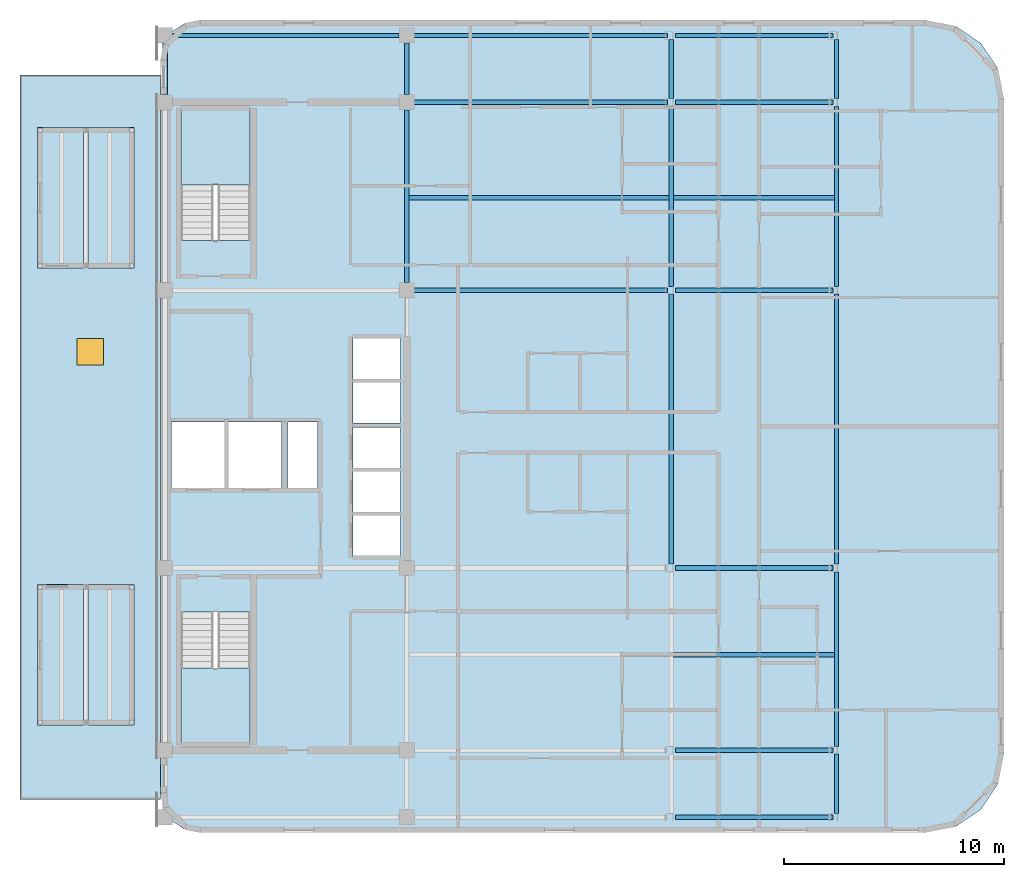
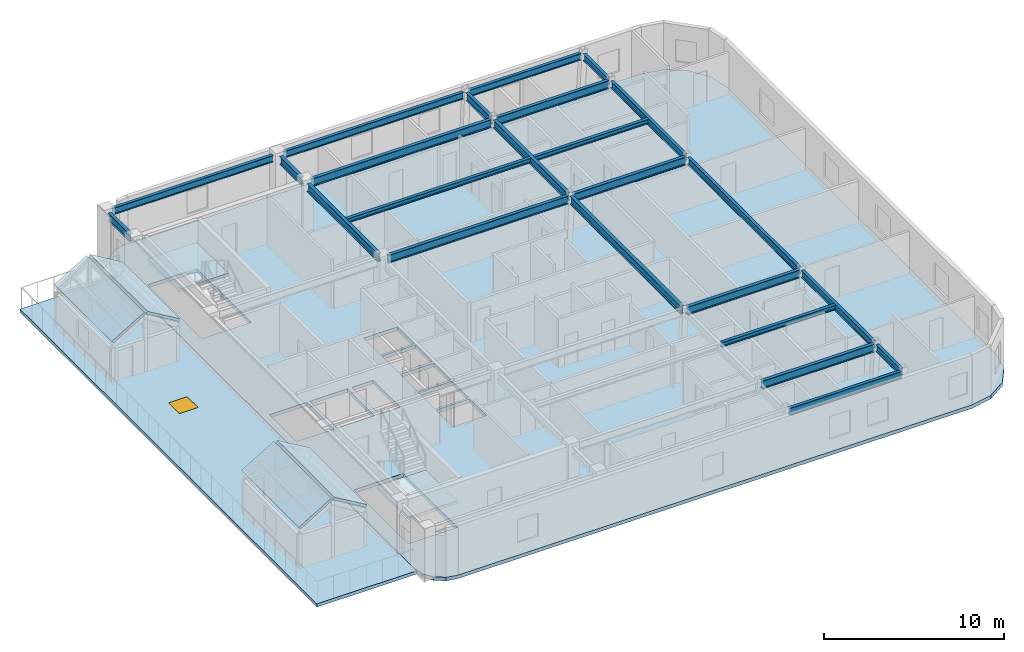
# One storey, part 5 of 13: 24 beams, 8 slabs, 1 window, 1 opening, 2 elements without a shape of their own.
"""IFC4 building model written with IfcOpenShell, lengths in metres."""

from ifc_helpers import new_model, si_unit, direction, frame, origin, origin_2d, place, context, subcontext, project, spatial, polyline, rectangle, i_section, outline, extrude, material, layer, layer_set, material_profile, profile_set, type_object, element, fill, aggregate, save


model = new_model("IFC4")

# Units and contexts
model_context = context("Model", 3, precision=1e-05, world=origin(), true_north=direction((0.0, 1.0)))
body_context = subcontext(model_context, "Body", "Model", "MODEL_VIEW")
ifc_project = project(units=[si_unit("LENGTHUNIT", "METRE"), si_unit("AREAUNIT", "SQUARE_METRE"), si_unit("VOLUMEUNIT", "CUBIC_METRE"), si_unit("PLANEANGLEUNIT", "RADIAN"), si_unit("MASSUNIT", "GRAM", prefix="KILO")], contexts=[model_context])

# Site, building, storey
site_placement = place(None, origin())
site = spatial("IfcSite", under=ifc_project, at=site_placement, CompositionType="ELEMENT")
building_placement = place(site_placement, origin())
building = spatial("IfcBuilding", under=site, at=building_placement, Name="Ochreholt Gables", CompositionType="ELEMENT")
storey_placement = place(building_placement, frame((0.0, 0.0, 205.800048828125)))
storey = spatial("IfcBuildingStorey", under=building, at=storey_placement, Name="L53", CompositionType="ELEMENT", Elevation=205.800048828125)

# Beams
ifc_material_1 = material(Name="Steel CSA G40.21 350W", Category="steel")
ifc_material_profile_1 = material_profile(ifc_material_1, i_section(OverallWidth=0.2109375, OverallDepth=0.5390625, WebThickness=0.01171875, FlangeThickness=0.018798828125, at=origin_2d()), Name="W530X109")
ifc_profile_set_1 = profile_set([ifc_material_profile_1], Name="Steel CSA G40.21 350W")
beam_type_1 = type_object("IfcBeamType", Name="BM-G-W530A", PredefinedType="BEAM", material=ifc_profile_set_1)
for number, where, z_axis, x_axis, name in (
    (1, (47.442626953125, 9.25, 3.09033203125), (1.0, 0.0, 0.0), (0.0, 1.0, 0.0), "L53 Beam TBG-L53-EMEE-Y2"),
    (2, (47.442626953125, 17.550048828125, 3.09033203125), (1.0, 0.0, 0.0), (0.0, 1.0, 0.0), "L53 Beam TBG-L53-EMEE-Y3"),
):
    element("IfcBeam", number, at=place(storey_placement, frame(where, z_axis=z_axis, x_axis=x_axis)), inside=storey, type_object=beam_type_1, Name=name, PredefinedType="BEAM", context=body_context, shape_type="SweptSolid", body=[
        extrude(i_section(OverallWidth=0.2109375, OverallDepth=0.5390625, WebThickness=0.01171875, FlangeThickness=0.018798828125, at=origin_2d()), origin(), (0.0, 0.0, 1.0), 7.181884765625),
    ])
beam_1_placement = place(storey_placement, frame((35.549560546875, 30.199951171875, 3.09033203125), z_axis=(1.0, 0.0, 0.0), x_axis=(0.0, 1.0, 0.0)))
element("IfcBeam", 3, at=beam_1_placement, inside=storey, type_object=beam_type_1, Name="L53 Beam TBG-L53-C2EM-Y4", PredefinedType="BEAM", context=body_context, shape_type="SweptSolid", body=[
    extrude(i_section(OverallWidth=0.2109375, OverallDepth=0.5390625, WebThickness=0.01171875, FlangeThickness=0.018798828125, at=origin_2d()), origin(), (0.0, 0.0, 1.0), 11.537841796875),
])
beam_2_placement = place(storey_placement, frame((47.442626953125, 30.199951171875, 3.09033203125), z_axis=(1.0, 0.0, 0.0), x_axis=(0.0, 1.0, 0.0)))
element("IfcBeam", 4, at=beam_2_placement, inside=storey, type_object=beam_type_1, Name="L53 Beam TBG-L53-EMEE-Y4", PredefinedType="BEAM", context=body_context, shape_type="SweptSolid", body=[
    extrude(i_section(OverallWidth=0.2109375, OverallDepth=0.5390625, WebThickness=0.01171875, FlangeThickness=0.018798828125, at=origin_2d()), origin(), (0.0, 0.0, 1.0), 7.181884765625),
])
beam_3_placement = place(storey_placement, frame((35.549560546875, 38.75, 3.09033203125), z_axis=(1.0, 0.0, 0.0), x_axis=(0.0, 1.0, 0.0)))
element("IfcBeam", 5, at=beam_3_placement, inside=storey, type_object=beam_type_1, Name="L53 Beam TBG-L53-C2EM-Y5", PredefinedType="BEAM", context=body_context, shape_type="SweptSolid", body=[
    extrude(i_section(OverallWidth=0.2109375, OverallDepth=0.5390625, WebThickness=0.01171875, FlangeThickness=0.018798828125, at=origin_2d()), origin(), (0.0, 0.0, 1.0), 11.537841796875),
])
beam_4_placement = place(storey_placement, frame((47.442626953125, 38.75, 3.09033203125), z_axis=(1.0, 0.0, 0.0), x_axis=(0.0, 1.0, 0.0)))
element("IfcBeam", 6, at=beam_4_placement, inside=storey, type_object=beam_type_1, Name="L53 Beam TBG-L53-EMEE-Y5", PredefinedType="BEAM", context=body_context, shape_type="SweptSolid", body=[
    extrude(i_section(OverallWidth=0.2109375, OverallDepth=0.5390625, WebThickness=0.01171875, FlangeThickness=0.018798828125, at=origin_2d()), origin(), (0.0, 0.0, 1.0), 7.181884765625),
])
beam_5_placement = place(storey_placement, frame((24.199951171875, 39.099609375, 3.09033203125), z_axis=(0.0, 1.0, 0.0), x_axis=(-1.0, 0.0, 0.0)))
element("IfcBeam", 7, at=beam_5_placement, inside=storey, type_object=beam_type_1, Name="L53 Beam TBN-L53-C1-Y5Y6", PredefinedType="BEAM", context=body_context, shape_type="SweptSolid", body=[
    extrude(i_section(OverallWidth=0.2109375, OverallDepth=0.5390625, WebThickness=0.01171875, FlangeThickness=0.018798828125, at=origin_2d()), origin(), (0.0, 0.0, 1.0), 2.350830078125),
])
beam_6_placement = place(storey_placement, frame((35.199951171875, 30.549560546875, 3.09033203125), z_axis=(0.0, 1.0, 0.0), x_axis=(-1.0, 0.0, 0.0)))
element("IfcBeam", 8, at=beam_6_placement, inside=storey, type_object=beam_type_1, Name="L53 Beam TBN-L53-C2-Y4Y5", PredefinedType="BEAM", context=body_context, shape_type="SweptSolid", body=[
    extrude(i_section(OverallWidth=0.2109375, OverallDepth=0.5390625, WebThickness=0.01171875, FlangeThickness=0.018798828125, at=origin_2d()), origin(), (0.0, 0.0, 1.0), 7.850830078125),
])
beam_7_placement = place(storey_placement, frame((35.199951171875, 39.099609375, 3.09033203125), z_axis=(0.0, 1.0, 0.0), x_axis=(-1.0, 0.0, 0.0)))
element("IfcBeam", 9, at=beam_7_placement, inside=storey, type_object=beam_type_1, Name="L53 Beam TBN-L53-C2-Y5Y6", PredefinedType="BEAM", context=body_context, shape_type="SweptSolid", body=[
    extrude(i_section(OverallWidth=0.2109375, OverallDepth=0.5390625, WebThickness=0.01171875, FlangeThickness=0.018798828125, at=origin_2d()), origin(), (0.0, 0.0, 1.0), 2.350830078125),
])
beam_8_placement = place(storey_placement, frame((47.247802734375, 17.7275390625, 3.09033203125), z_axis=(0.0, 1.0, 0.0), x_axis=(-1.0, 0.0, 0.0)))
element("IfcBeam", 10, at=beam_8_placement, inside=storey, type_object=beam_type_1, Name="L53 Beam TBN-L53-EM-Y3Y4", PredefinedType="BEAM", context=body_context, shape_type="SweptSolid", body=[
    extrude(i_section(OverallWidth=0.2109375, OverallDepth=0.5390625, WebThickness=0.01171875, FlangeThickness=0.018798828125, at=origin_2d()), origin(), (0.0, 0.0, 1.0), 12.294921875),
])
beam_9_placement = place(storey_placement, frame((47.247802734375, 30.377685546875, 3.09033203125), z_axis=(0.0, 1.0, 0.0), x_axis=(-1.0, 0.0, 0.0)))
element("IfcBeam", 11, at=beam_9_placement, inside=storey, type_object=beam_type_1, Name="L53 Beam TBN-L53-EM-Y4Y5", PredefinedType="BEAM", context=body_context, shape_type="SweptSolid", body=[
    extrude(i_section(OverallWidth=0.2109375, OverallDepth=0.5390625, WebThickness=0.01171875, FlangeThickness=0.018798828125, at=origin_2d()), origin(), (0.0, 0.0, 1.0), 8.19482421875),
])
beam_10_placement = place(storey_placement, frame((47.247802734375, 38.927490234375, 3.09033203125), z_axis=(0.0, 1.0, 0.0), x_axis=(-1.0, 0.0, 0.0)))
element("IfcBeam", 12, at=beam_10_placement, inside=storey, type_object=beam_type_1, Name="L53 Beam TBN-L53-EM-Y5Y6", PredefinedType="BEAM", context=body_context, shape_type="SweptSolid", body=[
    extrude(i_section(OverallWidth=0.2109375, OverallDepth=0.5390625, WebThickness=0.01171875, FlangeThickness=0.018798828125, at=origin_2d()), origin(), (0.0, 0.0, 1.0), 2.69482421875),
])
ifc_material_profile_2 = material_profile(ifc_material_1, i_section(OverallWidth=0.202880859375, OverallDepth=0.302978515625, WebThickness=0.007568359375, FlangeThickness=0.01318359375, at=origin_2d()), Name="W310X60")
ifc_profile_set_2 = profile_set([ifc_material_profile_2], Name="Steel CSA G40.21 350W")
beam_type_2 = type_object("IfcBeamType", Name="BM-J-W310", PredefinedType="JOIST", material=ifc_profile_set_2)
beam_11_placement = place(storey_placement, frame((47.352783203125, 13.60009765625, 3.20849609375), z_axis=(1.0, 0.0, 0.0), x_axis=(0.0, 1.0, 0.0)))
element("IfcBeam", 13, at=beam_11_placement, inside=storey, type_object=beam_type_2, Name="L53 Beam TBJ-L53-J1-EMEE", PredefinedType="JOIST", context=body_context, shape_type="SweptSolid", body=[
    extrude(i_section(OverallWidth=0.202880859375, OverallDepth=0.302978515625, WebThickness=0.007568359375, FlangeThickness=0.01318359375, at=origin_2d()), origin(), (0.0, 0.0, 1.0), 7.3251953125),
])
beam_12_placement = place(storey_placement, frame((35.30517578125, 34.39990234375, 3.20849609375), z_axis=(1.0, 0.0, 0.0), x_axis=(0.0, 1.0, 0.0)))
element("IfcBeam", 14, at=beam_12_placement, inside=storey, type_object=beam_type_2, Name="L53 Beam TBJ-L53-J2-C2EM", PredefinedType="JOIST", context=body_context, shape_type="SweptSolid", body=[
    extrude(i_section(OverallWidth=0.202880859375, OverallDepth=0.302978515625, WebThickness=0.007568359375, FlangeThickness=0.01318359375, at=origin_2d()), origin(), (0.0, 0.0, 1.0), 11.83740234375),
])
beam_13_placement = place(storey_placement, frame((47.352783203125, 34.39990234375, 3.20849609375), z_axis=(1.0, 0.0, 0.0), x_axis=(0.0, 1.0, 0.0)))
element("IfcBeam", 15, at=beam_13_placement, inside=storey, type_object=beam_type_2, Name="L53 Beam TBJ-L53-J2-EMEE", PredefinedType="JOIST", context=body_context, shape_type="SweptSolid", body=[
    extrude(i_section(OverallWidth=0.202880859375, OverallDepth=0.302978515625, WebThickness=0.007568359375, FlangeThickness=0.01318359375, at=origin_2d()), origin(), (0.0, 0.0, 1.0), 7.3251953125),
])
ifc_material_profile_3 = material_profile(ifc_material_1, i_section(OverallWidth=0.19189453125, OverallDepth=0.462890625, WebThickness=0.010498046875, FlangeThickness=0.017578125, at=origin_2d()), Name="W460X89")
ifc_profile_set_3 = profile_set([ifc_material_profile_3], Name="Steel CSA G40.21 350W")
beam_type_3 = type_object("IfcBeamType", Name="BM-SP-W460A", PredefinedType="SPANDREL", material=ifc_profile_set_3)
beam_14_placement = place(storey_placement, frame((47.442626953125, 6.199951171875, 3.12841796875), z_axis=(1.0, 0.0, 0.0), x_axis=(0.0, 1.0, 0.0)))
element("IfcBeam", 16, at=beam_14_placement, inside=storey, type_object=beam_type_3, Name="L53 Beam TBG-L53-EMEE-Y1", PredefinedType="SPANDREL", context=body_context, shape_type="SweptSolid", body=[
    extrude(i_section(OverallWidth=0.19189453125, OverallDepth=0.462890625, WebThickness=0.010498046875, FlangeThickness=0.017578125, at=origin_2d()), origin(), (0.0, 0.0, 1.0), 7.181884765625),
])
beam_15_placement = place(storey_placement, frame((24.549560546875, 41.800048828125, 3.12841796875), z_axis=(1.0, 0.0, 0.0), x_axis=(0.0, 1.0, 0.0)))
element("IfcBeam", 17, at=beam_15_placement, inside=storey, type_object=beam_type_3, Name="L53 Beam TBG-L53-C1C2-Y6", PredefinedType="SPANDREL", context=body_context, shape_type="SweptSolid", body=[
    extrude(i_section(OverallWidth=0.19189453125, OverallDepth=0.462890625, WebThickness=0.010498046875, FlangeThickness=0.017578125, at=origin_2d()), origin(), (0.0, 0.0, 1.0), 10.30078125),
])
beam_16_placement = place(storey_placement, frame((35.549560546875, 41.800048828125, 3.12841796875), z_axis=(1.0, 0.0, 0.0), x_axis=(0.0, 1.0, 0.0)))
element("IfcBeam", 18, at=beam_16_placement, inside=storey, type_object=beam_type_3, Name="L53 Beam TBG-L53-C2EM-Y6", PredefinedType="SPANDREL", context=body_context, shape_type="SweptSolid", body=[
    extrude(i_section(OverallWidth=0.19189453125, OverallDepth=0.462890625, WebThickness=0.010498046875, FlangeThickness=0.017578125, at=origin_2d()), origin(), (0.0, 0.0, 1.0), 11.537841796875),
])
beam_17_placement = place(storey_placement, frame((47.442626953125, 41.800048828125, 3.12841796875), z_axis=(1.0, 0.0, 0.0), x_axis=(0.0, 1.0, 0.0)))
element("IfcBeam", 19, at=beam_17_placement, inside=storey, type_object=beam_type_3, Name="L53 Beam TBG-L53-EMEE-Y6", PredefinedType="SPANDREL", context=body_context, shape_type="SweptSolid", body=[
    extrude(i_section(OverallWidth=0.19189453125, OverallDepth=0.462890625, WebThickness=0.010498046875, FlangeThickness=0.017578125, at=origin_2d()), origin(), (0.0, 0.0, 1.0), 7.181884765625),
])
beam_18_placement = place(storey_placement, frame((54.773681640625, 6.377685546875, 3.12841796875), z_axis=(0.0, 1.0, 0.0), x_axis=(-1.0, 0.0, 0.0)))
element("IfcBeam", 20, at=beam_18_placement, inside=storey, type_object=beam_type_3, Name="L53 Beam TBN-L53-EE-Y1Y2", PredefinedType="SPANDREL", context=body_context, shape_type="SweptSolid", body=[
    extrude(i_section(OverallWidth=0.19189453125, OverallDepth=0.462890625, WebThickness=0.010498046875, FlangeThickness=0.017578125, at=origin_2d()), origin(), (0.0, 0.0, 1.0), 2.69482421875),
])
beam_19_placement = place(storey_placement, frame((54.773681640625, 9.427490234375, 3.12841796875), z_axis=(0.0, 1.0, 0.0), x_axis=(-1.0, 0.0, 0.0)))
element("IfcBeam", 21, at=beam_19_placement, inside=storey, type_object=beam_type_3, Name="L53 Beam TBN-L53-EE-Y2Y3", PredefinedType="SPANDREL", context=body_context, shape_type="SweptSolid", body=[
    extrude(i_section(OverallWidth=0.19189453125, OverallDepth=0.462890625, WebThickness=0.010498046875, FlangeThickness=0.017578125, at=origin_2d()), origin(), (0.0, 0.0, 1.0), 7.94482421875),
])
beam_20_placement = place(storey_placement, frame((54.773681640625, 17.7275390625, 3.12841796875), z_axis=(0.0, 1.0, 0.0), x_axis=(-1.0, 0.0, 0.0)))
element("IfcBeam", 22, at=beam_20_placement, inside=storey, type_object=beam_type_3, Name="L53 Beam TBN-L53-EE-Y3Y4", PredefinedType="SPANDREL", context=body_context, shape_type="SweptSolid", body=[
    extrude(i_section(OverallWidth=0.19189453125, OverallDepth=0.462890625, WebThickness=0.010498046875, FlangeThickness=0.017578125, at=origin_2d()), origin(), (0.0, 0.0, 1.0), 12.294921875),
])
beam_21_placement = place(storey_placement, frame((54.773681640625, 30.377685546875, 3.12841796875), z_axis=(0.0, 1.0, 0.0), x_axis=(-1.0, 0.0, 0.0)))
element("IfcBeam", 23, at=beam_21_placement, inside=storey, type_object=beam_type_3, Name="L53 Beam TBN-L53-EE-Y4Y5", PredefinedType="SPANDREL", context=body_context, shape_type="SweptSolid", body=[
    extrude(i_section(OverallWidth=0.19189453125, OverallDepth=0.462890625, WebThickness=0.010498046875, FlangeThickness=0.017578125, at=origin_2d()), origin(), (0.0, 0.0, 1.0), 8.19482421875),
])
beam_22_placement = place(storey_placement, frame((54.773681640625, 38.927490234375, 3.12841796875), z_axis=(0.0, 1.0, 0.0), x_axis=(-1.0, 0.0, 0.0)))
element("IfcBeam", 24, at=beam_22_placement, inside=storey, type_object=beam_type_3, Name="L53 Beam TBN-L53-EE-Y5Y6", PredefinedType="SPANDREL", context=body_context, shape_type="SweptSolid", body=[
    extrude(i_section(OverallWidth=0.19189453125, OverallDepth=0.462890625, WebThickness=0.010498046875, FlangeThickness=0.017578125, at=origin_2d()), origin(), (0.0, 0.0, 1.0), 2.69482421875),
])

# Stair, slab
ifc_material_2 = material(Name="Concrete 40 MPa", Category="concrete")
stair_type_1 = type_object("IfcStairType", Name="STAIR-CORE-ST-1", PredefinedType="HALF_TURN_STAIR", material=ifc_material_2)
stair_1_placement = place(storey_placement, origin())
stair_1 = element("IfcStair", 25, at=stair_1_placement, inside=storey, type_object=stair_type_1, Name="L53 Core Exit Stair 1", PredefinedType="HALF_TURN_STAIR")
ifc_layer_1 = layer(ifc_material_2, 0.199951171875, Name="Concrete 40 MPa")
ifc_layer_set_1 = layer_set([ifc_layer_1], Name="Concrete 40 MPa")
slab_type_1 = type_object("IfcSlabType", Name="LANDING-RC200", PredefinedType="LANDING", material=ifc_layer_set_1)
slab_1_placement = place(storey_placement, frame((0.0, 0.0, 1.599853515625)))
slab_1 = element("IfcSlab", 26, at=slab_1_placement, type_object=slab_type_1, Name="ST-1 landing 1", PredefinedType="LANDING", context=body_context, shape_type="SweptSolid", body=[
    extrude(outline(polyline([(24.919921875, 13.001953125), (24.919921875, 9.52001953125), (28.080078125, 9.52001953125), (28.080078125, 13.001953125), (24.919921875, 13.001953125)])), origin(), (0.0, 0.0, 1.0), 0.2001953125),
])
aggregate(stair_1, [slab_1])

stair_type_2 = type_object("IfcStairType", Name="STAIR-CORE-ST-2", PredefinedType="HALF_TURN_STAIR", material=ifc_material_2)
stair_2_placement = place(storey_placement, origin())
stair_2 = element("IfcStair", 27, at=stair_2_placement, inside=storey, type_object=stair_type_2, Name="L53 Core Exit Stair 2", PredefinedType="HALF_TURN_STAIR")
slab_2_placement = place(storey_placement, frame((0.0, 0.0, 1.599853515625)))
slab_2 = element("IfcSlab", 28, at=slab_2_placement, type_object=slab_type_1, Name="ST-2 landing 1", PredefinedType="LANDING", context=body_context, shape_type="SweptSolid", body=[
    extrude(outline(polyline([(28.080078125, 34.998046875), (28.080078125, 38.47998046875), (24.919921875, 38.47998046875), (24.919921875, 34.998046875), (28.080078125, 34.998046875)])), origin(), (0.0, 0.0, 1.0), 0.2001953125),
])
aggregate(stair_2, [slab_2])

# Slabs
ifc_material_3 = material(Name="Precast concrete 40 MPa", Category="concrete")
ifc_layer_2 = layer(ifc_material_3, 0.179931640625, Name="Precast concrete 40 MPa")
ifc_layer_set_2 = layer_set([ifc_layer_2], Name="Precast concrete 40 MPa")
slab_type_2 = type_object("IfcSlabType", Name="SLAB-GAB-180", PredefinedType="ROOF", material=ifc_layer_set_2)
for number, where, z_axis, x_axis, name in (
    (29, (18.39990234375, 10.39990234375, 2.849853515625), (-0.508725929586, 0.0, 0.860928526979), (0.860928526979, 0.0, 0.508725929586), "L53 Gable West Roof Slope GB-53W1"),
    (30, (20.70654296875, 10.39990234375, 4.0869140625), (0.508725929586, 0.0, 0.860928526979), (0.860928526979, 0.0, -0.508725929586), "L53 Gable East Roof Slope GB-53W1"),
    (31, (18.39990234375, 31.199951171875, 2.849853515625), (-0.508725929586, 0.0, 0.860928526979), (0.860928526979, 0.0, 0.508725929586), "L53 Gable West Roof Slope GB-53W2"),
    (32, (20.70654296875, 31.199951171875, 4.0869140625), (0.508725929586, 0.0, 0.860928526979), (0.860928526979, 0.0, -0.508725929586), "L53 Gable East Roof Slope GB-53W2"),
):
    element("IfcSlab", number, at=place(storey_placement, frame(where, z_axis=z_axis, x_axis=x_axis)), inside=storey, type_object=slab_type_2, Name=name, PredefinedType="ROOF", context=body_context, shape_type="SweptSolid", body=[
        extrude(outline(polyline([(0.0, 0.0), (2.43168369239754, 0.0), (2.43168369239754, 6.400146484375002), (0.0, 6.400146484375002), (0.0, 0.0)])), origin(), (0.0, 0.0, -1.0), 0.179931640625),
    ])

# Slab, opening, window
ifc_layer_3 = layer(ifc_material_2, 0.219970703125, Name="Concrete 40 MPa")
ifc_layer_set_3 = layer_set([ifc_layer_3], Name="Concrete 40 MPa")
slab_type_3 = type_object("IfcSlabType", Name="SLAB-TER-220", PredefinedType="FLOOR", material=ifc_layer_set_3)
slab_3_placement = place(storey_placement, frame((0.0, 0.0, -0.219970703125)))
slab_3 = element("IfcSlab", 33, at=slab_3_placement, inside=storey, type_object=slab_type_3, Name="L53 Outdoor Terrace Slab TR-L53-W", PredefinedType="FLOOR", context=body_context, shape_type="SweptSolid", body=[
    extrude(outline(polyline([(17.60009765625, 7.0), (23.999755859375, 7.0), (23.999755859375, 40.0), (17.60009765625, 40.0), (17.60009765625, 7.0)])), origin(), (0.0, 0.0, 1.0), 0.219970703125),
])
opening_placement = place(slab_3_placement, frame((20.7998046875, 27.39990234375, 0.0)))
opening = element("IfcOpeningElement", 34, at=opening_placement, cuts=slab_3, Name="Opening SK-1", PredefinedType="OPENING", context=body_context, shape_type="SweptSolid", body=[
    extrude(rectangle(XDim=1.199951171875, YDim=1.199951171875, at=origin_2d()), frame((0.0, 0.0, -0.010009765625)), (0.0, 0.0, 1.0), 0.239990234375),
])
ifc_material_4 = material(Name="Triple-Glazed Thermally Broken Aluminium Window", Category="aluminium")
window_type = type_object("IfcWindowType", Name="SKY-TER-1200", PartitioningType="SINGLE_PANEL", PredefinedType="SKYLIGHT", material=ifc_material_4)
window_placement = place(opening_placement, frame((0.0, 0.0, 0.169921875)))
window = element("IfcWindow", 35, at=window_placement, inside=storey, type_object=window_type, Name="L53 Terrace Daylight Skylight TR-L53-W", OverallHeight=1.199951171875, OverallWidth=1.199951171875, PartitioningType="SINGLE_PANEL", PredefinedType="SKYLIGHT", context=body_context, shape_type="SweptSolid", body=[
    extrude(rectangle(XDim=1.199951171875, YDim=1.199951171875, at=origin_2d()), origin(), (0.0, 0.0, 1.0), 0.050048828125),
])
fill(opening, window)

# Slab
ifc_layer_4 = layer(ifc_material_2, 0.239990234375, Name="Concrete 40 MPa")
ifc_layer_set_4 = layer_set([ifc_layer_4], Name="Concrete 40 MPa")
slab_type_4 = type_object("IfcSlabType", Name="SLAB-TWR-240", PredefinedType="FLOOR", material=ifc_layer_set_4)
slab_4_placement = place(storey_placement, frame((0.0, 0.0, -0.239990234375)))
element("IfcSlab", 36, at=slab_4_placement, inside=storey, type_object=slab_type_4, Name="L53 Structural Floor Slab", PredefinedType="FLOOR", context=body_context, shape_type="SweptSolid", body=[
    extrude(outline(polyline([(24.0, 7.300048828125), (24.136962890625, 6.611083984375), (24.527099609375, 6.027099609375), (25.111083984375, 5.636962890625), (25.800048828125, 5.5), (58.800048828125, 5.5), (60.177734375, 5.77392578125), (61.345703125, 6.554443359375), (62.1259765625, 7.722412109375), (62.39990234375, 9.10009765625), (62.39990234375, 38.89990234375), (62.1259765625, 40.277587890625), (61.345703125, 41.445556640625), (60.177734375, 42.22607421875), (58.800048828125, 42.5), (25.800048828125, 42.5), (25.111083984375, 42.363037109375), (24.527099609375, 41.972900390625), (24.136962890625, 41.388916015625), (24.0, 40.699951171875), (24.0, 7.300048828125)]), holes=[polyline([(24.919921875, 15.539306640625), (24.919921875, 9.52001953125), (28.080078125, 9.52001953125), (28.080078125, 15.539306640625), (24.919921875, 15.539306640625)]), polyline([(28.080078125, 32.460693359375), (28.080078125, 38.47998046875), (24.919921875, 38.47998046875), (24.919921875, 32.460693359375), (28.080078125, 32.460693359375)]), polyline([(24.5, 21.199951171875), (26.89990234375, 21.199951171875), (26.89990234375, 24.199951171875), (24.5, 24.199951171875), (24.5, 21.199951171875)]), polyline([(27.10009765625, 21.199951171875), (29.5, 21.199951171875), (29.5, 24.199951171875), (27.10009765625, 24.199951171875), (27.10009765625, 21.199951171875)]), polyline([(32.75, 18.10009765625), (34.89990234375, 18.10009765625), (34.89990234375, 19.949951171875), (32.75, 19.949951171875), (32.75, 18.10009765625)]), polyline([(32.75, 20.10009765625), (34.89990234375, 20.10009765625), (34.89990234375, 21.949951171875), (32.75, 21.949951171875), (32.75, 20.10009765625)]), polyline([(32.75, 22.10009765625), (34.89990234375, 22.10009765625), (34.89990234375, 23.949951171875), (32.75, 23.949951171875), (32.75, 22.10009765625)]), polyline([(32.75, 24.14990234375), (34.89990234375, 24.14990234375), (34.89990234375, 26.0), (32.75, 26.0), (32.75, 24.14990234375)]), polyline([(32.75, 26.14990234375), (34.89990234375, 26.14990234375), (34.89990234375, 28.0), (32.75, 28.0), (32.75, 26.14990234375)]), polyline([(29.800048828125, 21.199951171875), (31.14990234375, 21.199951171875), (31.14990234375, 24.199951171875), (29.800048828125, 24.199951171875), (29.800048828125, 21.199951171875)])]), origin(), (0.0, 0.0, 1.0), 0.239990234375),
])

save(model, "model.ifc")
